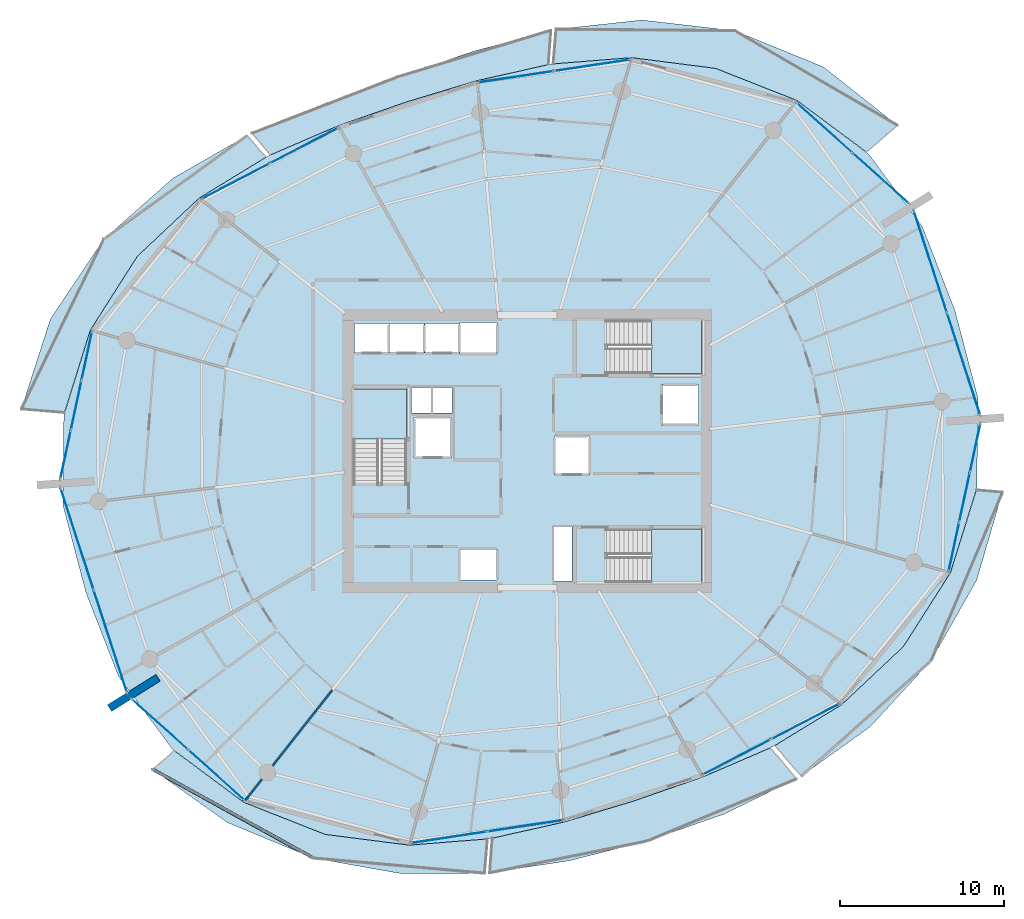
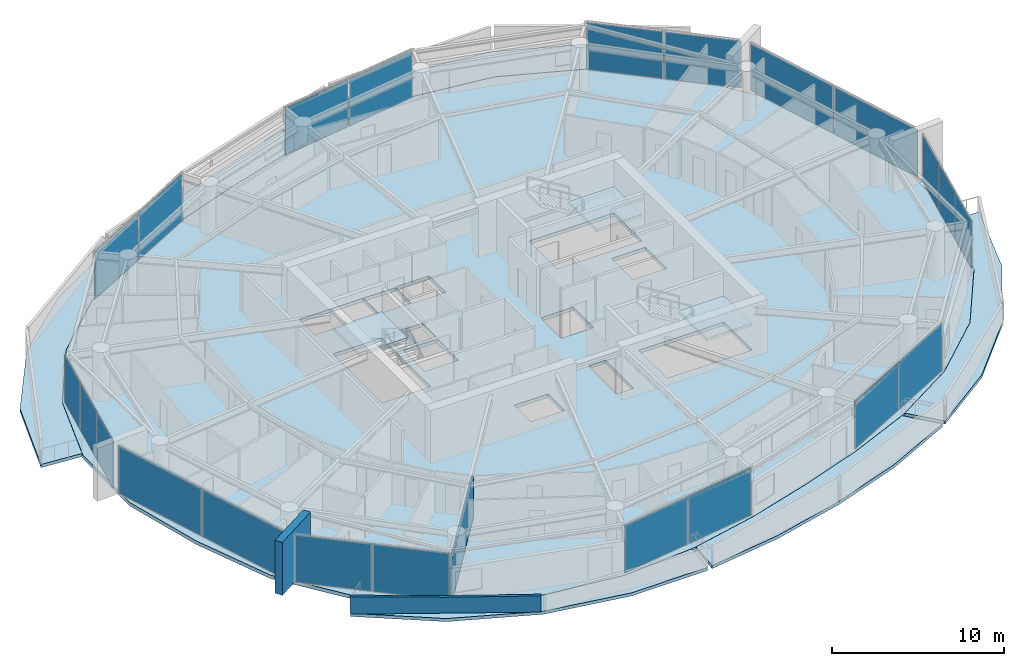
# One storey, part 10 of 21: 22 plates, 10 slabs, 3 walls, 13 elements without a shape of their own.
"""IFC4 building model written with IfcOpenShell, lengths in metres."""

from ifc_helpers import new_model, si_unit, direction, frame, frame_2d, origin, origin_2d, place, context, subcontext, project, spatial, polyline, rectangle, outline, extrude, material, layer, layer_set, type_object, element, aggregate, save


model = new_model("IFC4")

# Units and contexts
model_context = context("Model", 3, precision=1e-05, world=origin(), true_north=direction((0.0, 1.0)))
body_context = subcontext(model_context, "Body", "Model", "MODEL_VIEW")
ifc_project = project(units=[si_unit("LENGTHUNIT", "METRE"), si_unit("AREAUNIT", "SQUARE_METRE"), si_unit("VOLUMEUNIT", "CUBIC_METRE"), si_unit("PLANEANGLEUNIT", "RADIAN"), si_unit("MASSUNIT", "GRAM", prefix="KILO")], contexts=[model_context])

# Site, building, storey
site_placement = place(None, origin())
site = spatial("IfcSite", under=ifc_project, at=site_placement, CompositionType="ELEMENT")
building_placement = place(site_placement, origin())
building = spatial("IfcBuilding", under=site, at=building_placement, Name="Kazma Halo Residences", CompositionType="ELEMENT")
storey_placement = place(building_placement, frame((0.0, 0.0, 195.300048828125)))
storey = spatial("IfcBuildingStorey", under=building, at=storey_placement, Name="L49", CompositionType="ELEMENT", Elevation=195.300048828125)

# Curtain wall, plates
ifc_material_1 = material(Name="Aluminium AW-6063 T6 and Triple-Silver Low-E Glass", Category="aluminium")
ifc_layer_1 = layer(ifc_material_1, 0.219970703125)
ifc_layer_set_1 = layer_set([ifc_layer_1], Name="Aluminium AW-6063 T6 and Triple-Silver Low-E Glass")
curtain_wall_type = type_object("IfcCurtainWallType", Name="CW-SYS-4", PredefinedType="NOTDEFINED", material=ifc_layer_set_1)
curtain_wall_1_placement = place(storey_placement, origin())
curtain_wall_1 = element("IfcCurtainWall", 1, at=curtain_wall_1_placement, inside=storey, type_object=curtain_wall_type, Name="L49 unitised curtain wall B01", PredefinedType="NOTDEFINED")
ifc_material_2 = material(Name="Clear Triple-Silver Low-E Glass IGU", Category="glass")
ifc_layer_2 = layer(ifc_material_2, 0.033935546875)
ifc_layer_set_2 = layer_set([ifc_layer_2], Name="Clear Triple-Silver Low-E Glass IGU")
plate_type = type_object("IfcPlateType", Name="CW-SYS-4-PNL", PredefinedType="CURTAIN_PANEL", material=ifc_layer_set_2)
plate_1_placement = place(storey_placement, frame((70.001220703125, 58.669677734375, 0.074951171875), z_axis=(0.0, 0.0, 1.0), x_axis=(-0.744354814723, 0.667784328806, 0.0)))
plate_1 = element("IfcPlate", 2, at=plate_1_placement, type_object=plate_type, Name="CWS-4 panel 1.1", PredefinedType="CURTAIN_PANEL", context=body_context, shape_type="SweptSolid", body=[
    extrude(rectangle(XDim=4.5478515625, YDim=0.033935546875, at=origin_2d()), origin(), (0.0, 0.0, 1.0), 3.35009765625),
])
plate_2_placement = place(storey_placement, frame((66.56005859375, 61.7568359375, 0.074951171875), z_axis=(0.0, 0.0, 1.0), x_axis=(-0.744354814723, 0.667784328806, 0.0)))
plate_2 = element("IfcPlate", 3, at=plate_2_placement, type_object=plate_type, Name="CWS-4 panel 2.1", PredefinedType="CURTAIN_PANEL", context=body_context, shape_type="SweptSolid", body=[
    extrude(rectangle(XDim=4.5478515625, YDim=0.033935546875, at=origin_2d()), origin(), (0.0, 0.0, 1.0), 3.35009765625),
])
aggregate(curtain_wall_1, [plate_1, plate_2])

curtain_wall_2_placement = place(storey_placement, origin())
curtain_wall_2 = element("IfcCurtainWall", 4, at=curtain_wall_2_placement, inside=storey, type_object=curtain_wall_type, Name="L49 unitised curtain wall B03", PredefinedType="NOTDEFINED")
plate_3_placement = place(storey_placement, frame((52.375, 65.562255859375, 0.074951171875), z_axis=(0.0, 0.0, 1.0), x_axis=(-0.988871428361, -0.148772639188, 0.0)))
plate_3 = element("IfcPlate", 5, at=plate_3_placement, type_object=plate_type, Name="CWS-4 panel 1.1", PredefinedType="CURTAIN_PANEL", context=body_context, shape_type="SweptSolid", body=[
    extrude(rectangle(XDim=4.64501953125, YDim=0.033935546875, at=origin_2d()), origin(), (0.0, 0.0, 1.0), 3.35009765625),
])
plate_4_placement = place(storey_placement, frame((47.70751953125, 64.860107421875, 0.074951171875), z_axis=(0.0, 0.0, 1.0), x_axis=(-0.988871428361, -0.148772639188, 0.0)))
plate_4 = element("IfcPlate", 6, at=plate_4_placement, type_object=plate_type, Name="CWS-4 panel 2.1", PredefinedType="CURTAIN_PANEL", context=body_context, shape_type="SweptSolid", body=[
    extrude(rectangle(XDim=4.64501953125, YDim=0.033935546875, at=origin_2d()), origin(), (0.0, 0.0, 1.0), 3.35009765625),
])
aggregate(curtain_wall_2, [plate_3, plate_4])

curtain_wall_3_placement = place(storey_placement, origin())
curtain_wall_3 = element("IfcCurtainWall", 7, at=curtain_wall_3_placement, inside=storey, type_object=curtain_wall_type, Name="L49 unitised curtain wall B05", PredefinedType="NOTDEFINED")
plate_5_placement = place(storey_placement, frame((34.7998046875, 60.666015625, 0.074951171875), z_axis=(0.0, 0.0, 1.0), x_axis=(-0.887465657575, -0.460873851097, 0.0)))
plate_5 = element("IfcPlate", 8, at=plate_5_placement, type_object=plate_type, Name="CWS-4 panel 1.1", PredefinedType="CURTAIN_PANEL", context=body_context, shape_type="SweptSolid", body=[
    extrude(rectangle(XDim=4.64501953125, YDim=0.033935546875, at=origin_2d()), origin(), (0.0, 0.0, 1.0), 3.35009765625),
])
plate_6_placement = place(storey_placement, frame((30.61083984375, 58.49072265625, 0.074951171875), z_axis=(0.0, 0.0, 1.0), x_axis=(-0.887465657575, -0.460873851097, 0.0)))
plate_6 = element("IfcPlate", 9, at=plate_6_placement, type_object=plate_type, Name="CWS-4 panel 2.1", PredefinedType="CURTAIN_PANEL", context=body_context, shape_type="SweptSolid", body=[
    extrude(rectangle(XDim=4.64501953125, YDim=0.033935546875, at=origin_2d()), origin(), (0.0, 0.0, 1.0), 3.35009765625),
])
aggregate(curtain_wall_3, [plate_5, plate_6])

curtain_wall_4_placement = place(storey_placement, origin())
curtain_wall_4 = element("IfcCurtainWall", 10, at=curtain_wall_4_placement, inside=storey, type_object=curtain_wall_type, Name="L49 unitised curtain wall B07", PredefinedType="NOTDEFINED")
plate_7_placement = place(storey_placement, frame((21.53466796875, 47.833740234375, 0.074951171875), z_axis=(0.0, 0.0, 1.0), x_axis=(-0.209689543175, -0.977768017212, 0.0)))
plate_7 = element("IfcPlate", 11, at=plate_7_placement, type_object=plate_type, Name="CWS-4 panel 1.1", PredefinedType="CURTAIN_PANEL", context=body_context, shape_type="SweptSolid", body=[
    extrude(rectangle(XDim=2.994384765625, YDim=0.033935546875, at=origin_2d()), origin(), (0.0, 0.0, 1.0), 3.35009765625),
])
plate_8_placement = place(storey_placement, frame((20.88720703125, 44.814208984375, 0.074951171875), z_axis=(0.0, 0.0, 1.0), x_axis=(-0.209689543175, -0.977768017212, 0.0)))
plate_8 = element("IfcPlate", 12, at=plate_8_placement, type_object=plate_type, Name="CWS-4 panel 2.1", PredefinedType="CURTAIN_PANEL", context=body_context, shape_type="SweptSolid", body=[
    extrude(rectangle(XDim=3.031982421875, YDim=0.033935546875, at=origin_2d()), origin(), (0.0, 0.0, 1.0), 3.35009765625),
])
plate_9_placement = place(storey_placement, frame((20.239501953125, 41.794677734375, 0.074951171875), z_axis=(0.0, 0.0, 1.0), x_axis=(-0.209689543175, -0.977768017212, 0.0)))
plate_9 = element("IfcPlate", 13, at=plate_9_placement, type_object=plate_type, Name="CWS-4 panel 3.1", PredefinedType="CURTAIN_PANEL", context=body_context, shape_type="SweptSolid", body=[
    extrude(rectangle(XDim=2.994384765625, YDim=0.033935546875, at=origin_2d()), origin(), (0.0, 0.0, 1.0), 3.35009765625),
])
aggregate(curtain_wall_4, [plate_7, plate_8, plate_9])

curtain_wall_5_placement = place(storey_placement, origin())
curtain_wall_5 = element("IfcCurtainWall", 14, at=curtain_wall_5_placement, inside=storey, type_object=curtain_wall_type, Name="L49 unitised curtain wall B08", PredefinedType="NOTDEFINED")
plate_10_placement = place(storey_placement, frame((20.942626953125, 36.658447265625, 0.074951171875), z_axis=(0.0, 0.0, 1.0), x_axis=(0.309015833038, -0.951056893636, 0.0)))
plate_10 = element("IfcPlate", 15, at=plate_10_placement, type_object=plate_type, Name="CWS-4 panel 1.1", PredefinedType="CURTAIN_PANEL", context=body_context, shape_type="SweptSolid", body=[
    extrude(rectangle(XDim=6.487060546875, YDim=0.033935546875, at=origin_2d()), origin(), (0.0, 0.0, 1.0), 3.35009765625),
])
plate_11_placement = place(storey_placement, frame((22.970458984375, 30.41748046875, 0.074951171875), z_axis=(0.0, 0.0, 1.0), x_axis=(0.309015833038, -0.951056893636, 0.0)))
plate_11 = element("IfcPlate", 16, at=plate_11_placement, type_object=plate_type, Name="CWS-4 panel 2.1", PredefinedType="CURTAIN_PANEL", context=body_context, shape_type="SweptSolid", body=[
    extrude(rectangle(XDim=6.487060546875, YDim=0.033935546875, at=origin_2d()), origin(), (0.0, 0.0, 1.0), 3.35009765625),
])
aggregate(curtain_wall_5, [plate_10, plate_11])

curtain_wall_6_placement = place(storey_placement, origin())
curtain_wall_6 = element("IfcCurtainWall", 17, at=curtain_wall_6_placement, inside=storey, type_object=curtain_wall_type, Name="L49 unitised curtain wall B09", PredefinedType="NOTDEFINED")
plate_12_placement = place(storey_placement, frame((25.998779296875, 25.330322265625, 0.074951171875), z_axis=(0.0, 0.0, 1.0), x_axis=(0.744354814723, -0.667784328806, 0.0)))
plate_12 = element("IfcPlate", 18, at=plate_12_placement, type_object=plate_type, Name="CWS-4 panel 1.1", PredefinedType="CURTAIN_PANEL", context=body_context, shape_type="SweptSolid", body=[
    extrude(rectangle(XDim=4.5478515625, YDim=0.033935546875, at=origin_2d()), origin(), (0.0, 0.0, 1.0), 3.35009765625),
])
plate_13_placement = place(storey_placement, frame((29.43994140625, 22.2431640625, 0.074951171875), z_axis=(0.0, 0.0, 1.0), x_axis=(0.744354814723, -0.667784328806, 0.0)))
plate_13 = element("IfcPlate", 19, at=plate_13_placement, type_object=plate_type, Name="CWS-4 panel 2.1", PredefinedType="CURTAIN_PANEL", context=body_context, shape_type="SweptSolid", body=[
    extrude(rectangle(XDim=4.5478515625, YDim=0.033935546875, at=origin_2d()), origin(), (0.0, 0.0, 1.0), 3.35009765625),
])
aggregate(curtain_wall_6, [plate_12, plate_13])

curtain_wall_7_placement = place(storey_placement, origin())
curtain_wall_7 = element("IfcCurtainWall", 20, at=curtain_wall_7_placement, inside=storey, type_object=curtain_wall_type, Name="L49 unitised curtain wall B11", PredefinedType="NOTDEFINED")
plate_14_placement = place(storey_placement, frame((43.625, 18.437744140625, 0.074951171875), z_axis=(0.0, 0.0, 1.0), x_axis=(0.988871428361, 0.148772639188, 0.0)))
plate_14 = element("IfcPlate", 21, at=plate_14_placement, type_object=plate_type, Name="CWS-4 panel 1.1", PredefinedType="CURTAIN_PANEL", context=body_context, shape_type="SweptSolid", body=[
    extrude(rectangle(XDim=4.64501953125, YDim=0.033935546875, at=origin_2d()), origin(), (0.0, 0.0, 1.0), 3.35009765625),
])
plate_15_placement = place(storey_placement, frame((48.29248046875, 19.139892578125, 0.074951171875), z_axis=(0.0, 0.0, 1.0), x_axis=(0.988871428361, 0.148772639188, 0.0)))
plate_15 = element("IfcPlate", 22, at=plate_15_placement, type_object=plate_type, Name="CWS-4 panel 2.1", PredefinedType="CURTAIN_PANEL", context=body_context, shape_type="SweptSolid", body=[
    extrude(rectangle(XDim=4.64501953125, YDim=0.033935546875, at=origin_2d()), origin(), (0.0, 0.0, 1.0), 3.35009765625),
])
aggregate(curtain_wall_7, [plate_14, plate_15])

curtain_wall_8_placement = place(storey_placement, origin())
curtain_wall_8 = element("IfcCurtainWall", 23, at=curtain_wall_8_placement, inside=storey, type_object=curtain_wall_type, Name="L49 unitised curtain wall B13", PredefinedType="NOTDEFINED")
plate_16_placement = place(storey_placement, frame((61.2001953125, 23.333984375, 0.074951171875), z_axis=(0.0, 0.0, 1.0), x_axis=(0.887465657575, 0.460873851097, 0.0)))
plate_16 = element("IfcPlate", 24, at=plate_16_placement, type_object=plate_type, Name="CWS-4 panel 1.1", PredefinedType="CURTAIN_PANEL", context=body_context, shape_type="SweptSolid", body=[
    extrude(rectangle(XDim=4.64501953125, YDim=0.033935546875, at=origin_2d()), origin(), (0.0, 0.0, 1.0), 3.35009765625),
])
plate_17_placement = place(storey_placement, frame((65.38916015625, 25.50927734375, 0.074951171875), z_axis=(0.0, 0.0, 1.0), x_axis=(0.887465657575, 0.460873851097, 0.0)))
plate_17 = element("IfcPlate", 25, at=plate_17_placement, type_object=plate_type, Name="CWS-4 panel 2.1", PredefinedType="CURTAIN_PANEL", context=body_context, shape_type="SweptSolid", body=[
    extrude(rectangle(XDim=4.64501953125, YDim=0.033935546875, at=origin_2d()), origin(), (0.0, 0.0, 1.0), 3.35009765625),
])
aggregate(curtain_wall_8, [plate_16, plate_17])

curtain_wall_9_placement = place(storey_placement, origin())
curtain_wall_9 = element("IfcCurtainWall", 26, at=curtain_wall_9_placement, inside=storey, type_object=curtain_wall_type, Name="L49 unitised curtain wall B15", PredefinedType="NOTDEFINED")
plate_18_placement = place(storey_placement, frame((74.46533203125, 36.166259765625, 0.074951171875), z_axis=(0.0, 0.0, 1.0), x_axis=(0.209689543175, 0.977768017212, 0.0)))
plate_18 = element("IfcPlate", 27, at=plate_18_placement, type_object=plate_type, Name="CWS-4 panel 1.1", PredefinedType="CURTAIN_PANEL", context=body_context, shape_type="SweptSolid", body=[
    extrude(rectangle(XDim=2.994384765625, YDim=0.033935546875, at=origin_2d()), origin(), (0.0, 0.0, 1.0), 3.35009765625),
])
plate_19_placement = place(storey_placement, frame((75.11279296875, 39.185791015625, 0.074951171875), z_axis=(0.0, 0.0, 1.0), x_axis=(0.209689543175, 0.977768017212, 0.0)))
plate_19 = element("IfcPlate", 28, at=plate_19_placement, type_object=plate_type, Name="CWS-4 panel 2.1", PredefinedType="CURTAIN_PANEL", context=body_context, shape_type="SweptSolid", body=[
    extrude(rectangle(XDim=3.031982421875, YDim=0.033935546875, at=origin_2d()), origin(), (0.0, 0.0, 1.0), 3.35009765625),
])
plate_20_placement = place(storey_placement, frame((75.760498046875, 42.205322265625, 0.074951171875), z_axis=(0.0, 0.0, 1.0), x_axis=(0.209689543175, 0.977768017212, 0.0)))
plate_20 = element("IfcPlate", 29, at=plate_20_placement, type_object=plate_type, Name="CWS-4 panel 3.1", PredefinedType="CURTAIN_PANEL", context=body_context, shape_type="SweptSolid", body=[
    extrude(rectangle(XDim=2.994384765625, YDim=0.033935546875, at=origin_2d()), origin(), (0.0, 0.0, 1.0), 3.35009765625),
])
aggregate(curtain_wall_9, [plate_18, plate_19, plate_20])

curtain_wall_10_placement = place(storey_placement, origin())
curtain_wall_10 = element("IfcCurtainWall", 30, at=curtain_wall_10_placement, inside=storey, type_object=curtain_wall_type, Name="L49 unitised curtain wall B16", PredefinedType="NOTDEFINED")
plate_21_placement = place(storey_placement, frame((75.057373046875, 47.341552734375, 0.074951171875), z_axis=(0.0, 0.0, 1.0), x_axis=(-0.309015833038, 0.951056893636, 0.0)))
plate_21 = element("IfcPlate", 31, at=plate_21_placement, type_object=plate_type, Name="CWS-4 panel 1.1", PredefinedType="CURTAIN_PANEL", context=body_context, shape_type="SweptSolid", body=[
    extrude(rectangle(XDim=6.487060546875, YDim=0.033935546875, at=origin_2d()), origin(), (0.0, 0.0, 1.0), 3.35009765625),
])
plate_22_placement = place(storey_placement, frame((73.029541015625, 53.58251953125, 0.074951171875), z_axis=(0.0, 0.0, 1.0), x_axis=(-0.309015833038, 0.951056893636, 0.0)))
plate_22 = element("IfcPlate", 32, at=plate_22_placement, type_object=plate_type, Name="CWS-4 panel 2.1", PredefinedType="CURTAIN_PANEL", context=body_context, shape_type="SweptSolid", body=[
    extrude(rectangle(XDim=6.487060546875, YDim=0.033935546875, at=origin_2d()), origin(), (0.0, 0.0, 1.0), 3.35009765625),
])
aggregate(curtain_wall_10, [plate_21, plate_22])

# Slabs
ifc_material_3 = material(Name="White Concrete C50/60", Category="concrete")
ifc_layer_3 = layer(ifc_material_3, 0.219970703125)
ifc_layer_set_3 = layer_set([ifc_layer_3], Name="White Concrete C50/60")
slab_type_1 = type_object("IfcSlabType", Name="SLB-BAL-WAVE-210", PredefinedType="FLOOR", material=ifc_layer_set_3)
slab_1_placement = place(storey_placement, frame((0.0, 0.0, -0.219970703125)))
element("IfcSlab", 33, at=slab_1_placement, inside=storey, type_object=slab_type_1, Name="L49 NE cantilevered wave balcony slab", PredefinedType="FLOOR", context=body_context, shape_type="SweptSolid", body=[
    extrude(outline(polyline([(69.130126953125, 60.271240234375), (64.88720703125, 63.421142578125), (59.913818359375, 65.382080078125), (54.779052734375, 66.036376953125), (50.007080078125, 65.656005859375), (50.186279296875, 67.76708984375), (55.427001953125, 68.333740234375), (61.084228515625, 67.679443359375), (66.501708984375, 65.46923828125), (71.01611328125, 61.902099609375), (69.130126953125, 60.271240234375)])), origin(), (0.0, 0.0, 1.0), 0.219970703125),
])
slab_2_placement = place(storey_placement, frame((0.0, 0.0, -0.219970703125)))
element("IfcSlab", 34, at=slab_2_placement, inside=storey, type_object=slab_type_1, Name="L49 NNW cantilevered wave balcony slab", PredefinedType="FLOOR", context=body_context, shape_type="SweptSolid", body=[
    extrude(outline(polyline([(49.713134765625, 65.612060546875), (45.322265625, 64.62451171875), (41.066650390625, 63.338623046875), (36.867919921875, 61.877685546875), (32.735107421875, 60.095458984375), (31.619384765625, 61.418212890625), (36.092041015625, 63.26318359375), (40.56689453125, 64.876953125), (45.109619140625, 66.421142578125), (49.864990234375, 67.70166015625), (49.713134765625, 65.612060546875)])), origin(), (0.0, 0.0, 1.0), 0.219970703125),
])
slab_3_placement = place(storey_placement, frame((0.0, 0.0, -0.219970703125)))
element("IfcSlab", 35, at=slab_3_placement, inside=storey, type_object=slab_type_1, Name="L49 NW cantilevered wave balcony slab", PredefinedType="FLOOR", context=body_context, shape_type="SweptSolid", body=[
    extrude(outline(polyline([(32.471435546875, 59.958251953125), (28.387451171875, 57.461181640625), (24.617919921875, 53.913818359375), (21.7470703125, 49.404052734375), (20.165771484375, 44.36181640625), (17.536376953125, 44.5849609375), (19.311767578125, 50.091064453125), (22.5712890625, 54.95654296875), (26.819580078125, 58.697509765625), (31.327880859375, 61.28076171875), (32.471435546875, 59.958251953125)])), origin(), (0.0, 0.0, 1.0), 0.219970703125),
])
slab_4_placement = place(storey_placement, frame((0.0, 0.0, -0.219970703125)))
element("IfcSlab", 36, at=slab_4_placement, inside=storey, type_object=slab_type_1, Name="L49 SW cantilevered wave balcony slab", PredefinedType="FLOOR", context=body_context, shape_type="SweptSolid", body=[
    extrude(outline(polyline([(26.869873046875, 23.728759765625), (31.11279296875, 20.578857421875), (36.086181640625, 18.617919921875), (41.220947265625, 17.963623046875), (45.992919921875, 18.343994140625), (45.815185546875, 16.251953125), (40.72998046875, 16.222412109375), (35.351806640625, 17.1767578125), (30.1298828125, 19.331787109375), (25.55029296875, 22.587646484375), (26.869873046875, 23.728759765625)])), origin(), (0.0, 0.0, 1.0), 0.219970703125),
])
slab_5_placement = place(storey_placement, frame((0.0, 0.0, -0.219970703125)))
element("IfcSlab", 37, at=slab_5_placement, inside=storey, type_object=slab_type_1, Name="L49 SSE cantilevered wave balcony slab", PredefinedType="FLOOR", context=body_context, shape_type="SweptSolid", body=[
    extrude(outline(polyline([(46.286865234375, 18.387939453125), (50.677734375, 19.37548828125), (54.933349609375, 20.661376953125), (59.132080078125, 22.122314453125), (63.264892578125, 23.904541015625), (64.86328125, 22.009521484375), (60.40625, 19.846923828125), (55.72998046875, 18.209228515625), (50.958251953125, 17.005126953125), (46.1337890625, 16.279296875), (46.286865234375, 18.387939453125)])), origin(), (0.0, 0.0, 1.0), 0.219970703125),
])
slab_6_placement = place(storey_placement, frame((0.0, 0.0, -0.219970703125)))
element("IfcSlab", 38, at=slab_6_placement, inside=storey, type_object=slab_type_1, Name="L49 SE cantilevered wave balcony slab", PredefinedType="FLOOR", context=body_context, shape_type="SweptSolid", body=[
    extrude(outline(polyline([(63.528564453125, 24.041748046875), (67.612548828125, 26.538818359375), (71.382080078125, 30.086181640625), (74.2529296875, 34.595947265625), (75.834228515625, 39.63818359375), (77.427490234375, 39.5029296875), (75.856201171875, 34.143798828125), (73.073974609375, 29.22412109375), (69.33984375, 25.177001953125), (65.144287109375, 22.17333984375), (63.528564453125, 24.041748046875)])), origin(), (0.0, 0.0, 1.0), 0.219970703125),
])
ifc_material_4 = material(Name="Concrete C50/60", Category="concrete")
ifc_layer_4 = layer(ifc_material_4, 0.25)
ifc_layer_set_4 = layer_set([ifc_layer_4], Name="Concrete C50/60")
slab_type_2 = type_object("IfcSlabType", Name="SLB-RES-250", PredefinedType="FLOOR", material=ifc_layer_set_4)
slab_7_placement = place(storey_placement, frame((0.0, 0.0, -0.25)))
element("IfcSlab", 39, at=slab_7_placement, inside=storey, type_object=slab_type_2, Name="L49 structural floor slab", PredefinedType="FLOOR", context=body_context, shape_type="SweptSolid", body=[
    extrude(outline(polyline([(74.521484375, 50.617431640625), (72.531982421875, 55.738525390625), (69.2587890625, 60.156494140625), (64.8857421875, 63.41943359375), (59.912841796875, 65.380126953125), (54.7783203125, 66.034423828125), (49.860595703125, 65.64111328125), (45.322509765625, 64.62255859375), (41.0673828125, 63.336669921875), (36.868896484375, 61.875732421875), (32.598876953125, 60.032470703125), (28.388916015625, 57.460205078125), (24.619873046875, 53.912841796875), (21.7490234375, 49.403564453125), (20.129150390625, 44.193603515625), (20.07763671875, 38.6953125), (21.478515625, 33.382568359375), (23.468017578125, 28.261474609375), (26.7412109375, 23.843505859375), (31.1142578125, 20.58056640625), (36.087158203125, 18.619873046875), (41.2216796875, 17.965576171875), (46.139404296875, 18.35888671875), (50.677490234375, 19.37744140625), (54.9326171875, 20.663330078125), (59.131103515625, 22.124267578125), (63.401123046875, 23.967529296875), (67.611083984375, 26.539794921875), (71.380126953125, 30.087158203125), (74.2509765625, 34.596435546875), (75.870849609375, 39.806396484375), (75.92236328125, 45.3046875), (74.521484375, 50.617431640625)]), holes=[polyline([(37.800048828125, 40.110107421875), (41.050048828125, 40.110107421875), (41.050048828125, 45.800048828125), (37.800048828125, 45.800048828125), (37.800048828125, 40.110107421875)]), polyline([(53.360107421875, 46.75), (59.050048828125, 46.75), (59.050048828125, 50.0), (53.360107421875, 50.0), (53.360107421875, 46.75)]), polyline([(53.360107421875, 34.0), (59.050048828125, 34.0), (59.050048828125, 37.25), (53.360107421875, 37.25), (53.360107421875, 34.0)]), polyline([(41.52001953125, 41.6201171875), (43.780029296875, 41.6201171875), (43.780029296875, 44.080078125), (41.52001953125, 44.080078125), (41.52001953125, 41.6201171875)]), polyline([(56.6201171875, 43.6201171875), (58.8798828125, 43.6201171875), (58.8798828125, 46.080078125), (56.6201171875, 46.080078125), (56.6201171875, 43.6201171875)]), polyline([(37.864990234375, 47.9951171875), (39.97509765625, 47.9951171875), (39.97509765625, 49.804931640625), (37.864990234375, 49.804931640625), (37.864990234375, 47.9951171875)]), polyline([(40.014892578125, 47.9951171875), (42.125, 47.9951171875), (42.125, 49.804931640625), (40.014892578125, 49.804931640625), (40.014892578125, 47.9951171875)]), polyline([(42.1650390625, 47.9951171875), (44.27490234375, 47.9951171875), (44.27490234375, 49.804931640625), (42.1650390625, 49.804931640625), (42.1650390625, 47.9951171875)]), polyline([(44.320068359375, 47.945068359375), (46.580078125, 47.945068359375), (46.580078125, 49.85498046875), (44.320068359375, 49.85498046875), (44.320068359375, 47.945068359375)]), polyline([(44.320068359375, 34.14501953125), (46.580078125, 34.14501953125), (46.580078125, 36.054931640625), (44.320068359375, 36.054931640625), (44.320068359375, 34.14501953125)]), polyline([(50.070068359375, 40.570068359375), (52.22998046875, 40.570068359375), (52.22998046875, 42.929931640625), (50.070068359375, 42.929931640625), (50.070068359375, 40.570068359375)]), polyline([(41.360107421875, 44.340087890625), (42.5400390625, 44.340087890625), (42.5400390625, 45.89990234375), (41.360107421875, 45.89990234375), (41.360107421875, 44.340087890625)]), polyline([(42.659912109375, 44.340087890625), (43.840087890625, 44.340087890625), (43.840087890625, 45.89990234375), (42.659912109375, 45.89990234375), (42.659912109375, 44.340087890625)]), polyline([(50.06005859375, 34.080078125), (51.159912109375, 34.080078125), (51.159912109375, 37.3798828125), (50.06005859375, 37.3798828125), (50.06005859375, 34.080078125)])]), origin(), (0.0, 0.0, 1.0), 0.25),
])

# Stair, slab
stair_type = type_object("IfcStairType", Name="STR-RES1", PredefinedType="HALF_TURN_STAIR", material=ifc_material_4)
stair_1_placement = place(storey_placement, origin())
stair_1 = element("IfcStair", 40, at=stair_1_placement, inside=storey, type_object=stair_type, Name="L49 Core exit stair ST-01", PredefinedType="HALF_TURN_STAIR")
ifc_layer_5 = layer(ifc_material_4, 0.199951171875)
ifc_layer_set_5 = layer_set([ifc_layer_5], Name="Concrete C50/60")
slab_type_3 = type_object("IfcSlabType", Name="SLB-STAIR-LND-200", PredefinedType="LANDING", material=ifc_layer_set_5)
slab_8_placement = place(storey_placement, frame((0.0, 0.0, 1.675048828125)))
slab_8 = element("IfcSlab", 41, at=slab_8_placement, type_object=slab_type_3, Name="ST-01 landing 1", PredefinedType="LANDING", context=body_context, shape_type="SweptSolid", body=[
    extrude(outline(polyline([(41.050048828125, 42.75), (41.050048828125, 45.800048828125), (37.800048828125, 45.800048828125), (37.800048828125, 42.75), (41.050048828125, 42.75)])), origin(), (0.0, 0.0, 1.0), 0.199951171875),
])
aggregate(stair_1, [slab_8])

stair_2_placement = place(storey_placement, origin())
stair_2 = element("IfcStair", 42, at=stair_2_placement, inside=storey, type_object=stair_type, Name="L49 Core exit stair ST-02", PredefinedType="HALF_TURN_STAIR")
slab_9_placement = place(storey_placement, frame((0.0, 0.0, 1.675048828125)))
slab_9 = element("IfcSlab", 43, at=slab_9_placement, type_object=slab_type_3, Name="ST-02 landing 1", PredefinedType="LANDING", context=body_context, shape_type="SweptSolid", body=[
    extrude(outline(polyline([(56.0, 46.75), (59.050048828125, 46.75), (59.050048828125, 50.0), (56.0, 50.0), (56.0, 46.75)])), origin(), (0.0, 0.0, 1.0), 0.199951171875),
])
aggregate(stair_2, [slab_9])

stair_3_placement = place(storey_placement, origin())
stair_3 = element("IfcStair", 44, at=stair_3_placement, inside=storey, type_object=stair_type, Name="L49 Core exit stair ST-03", PredefinedType="HALF_TURN_STAIR")
slab_10_placement = place(storey_placement, frame((0.0, 0.0, 1.675048828125)))
slab_10 = element("IfcSlab", 45, at=slab_10_placement, type_object=slab_type_3, Name="ST-03 landing 1", PredefinedType="LANDING", context=body_context, shape_type="SweptSolid", body=[
    extrude(outline(polyline([(56.0, 34.0), (59.050048828125, 34.0), (59.050048828125, 37.25), (56.0, 37.25), (56.0, 34.0)])), origin(), (0.0, 0.0, 1.0), 0.199951171875),
])
aggregate(stair_3, [slab_10])

# Walls
ifc_material_5 = material(Name="White Concrete C50/60 Balustrade", Category="concrete")
ifc_layer_6 = layer(ifc_material_5, 0.179931640625)
ifc_layer_set_6 = layer_set([ifc_layer_6], Name="White Concrete C50/60 Balustrade")
wall_type_1 = type_object("IfcWallType", Name="WL-BAL-WAVE-180", PredefinedType="PARAPET", material=ifc_layer_set_6)
wall_1_placement = place(storey_placement, frame((25.55029296875, 22.587646484375, 0.0), z_axis=(0.0, 0.0, 1.0), x_axis=(0.875454845647, -0.48329992058, 0.0)))
element("IfcWall", 46, at=wall_1_placement, inside=storey, type_object=wall_type_1, Name="L49 white wave balustrade wall SW.1", PredefinedType="PARAPET", context=body_context, shape_type="SweptSolid", body=[
    extrude(outline(polyline([(0.0, 0.0), (11.075927734375, 0.0), (11.075927734375, 1.14794921875), (5.5380859375, 1.126953125), (0.0, 1.223876953125), (0.0, 0.0)])), frame((0.0, 0.08984375, 0.0), z_axis=(0.0, -1.0, 0.0), x_axis=(1.0, 0.0, 0.0)), (0.0, 0.0, 1.0), 0.179931640625),
])
ifc_material_6 = material(Name="Pale Concrete C60/75", Category="concrete")
ifc_layer_7 = layer(ifc_material_6, 0.47998046875)
ifc_layer_set_7 = layer_set([ifc_layer_7], Name="Pale Concrete C60/75")
wall_type_2 = type_object("IfcWallType", Name="WL-BLADE-480", PredefinedType="SOLIDWALL", material=ifc_layer_set_7)
wall_2_placement = place(storey_placement, frame((25.88623046875, 28.181884765625, 0.0), z_axis=(0.0, 0.0, 1.0), x_axis=(-0.848033572426, -0.529942506352, 0.0)))
element("IfcWall", 47, at=wall_2_placement, inside=storey, type_object=wall_type_2, Name="L49 pale concrete structural blade fin wall BW-03", PredefinedType="SOLIDWALL", context=body_context, shape_type="SweptSolid", body=[
    extrude(rectangle(XDim=3.5, YDim=0.47998046875, at=frame_2d((1.75, 0.0))), origin(), (0.0, 0.0, 1.0), 3.75),
])
ifc_material_7 = material(Name="Gypsum Plasterboard Partition")
ifc_layer_8 = layer(ifc_material_7, 0.125)
ifc_layer_set_8 = layer_set([ifc_layer_8], Name="Gypsum Plasterboard Partition")
wall_type_3 = type_object("IfcWallType", Name="WL-PART-125", PredefinedType="PARTITIONING", material=ifc_layer_set_8)
wall_3_placement = place(storey_placement, frame((36.517578125, 27.434814453125, 0.0), z_axis=(0.0, 0.0, 1.0), x_axis=(-0.619076951814, -0.785330330328, 0.0)))
element("IfcWall", 48, at=wall_3_placement, inside=storey, type_object=wall_type_3, Name="L49 Apartment 2 radial partition 9", PredefinedType="PARTITIONING", context=body_context, shape_type="SweptSolid", body=[
    extrude(rectangle(XDim=8.583251953125, YDim=0.125, at=frame_2d((4.29150390625, 0.0))), origin(), (0.0, 0.0, 1.0), 2.93994140625),
])

save(model, "model.ifc")
